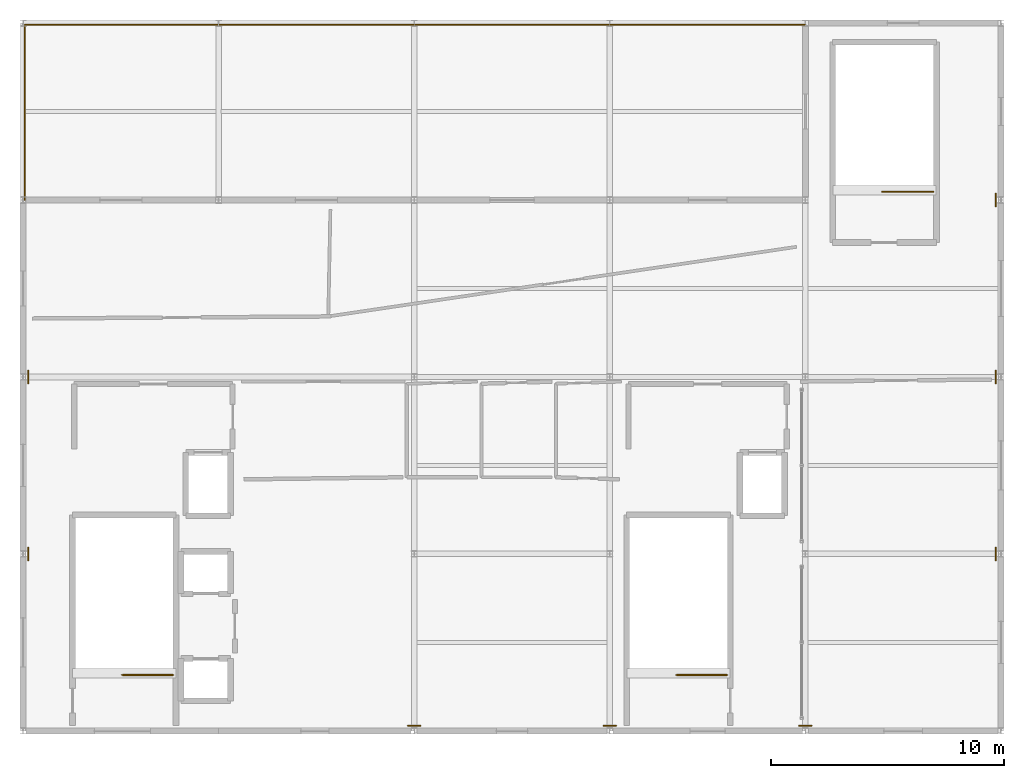
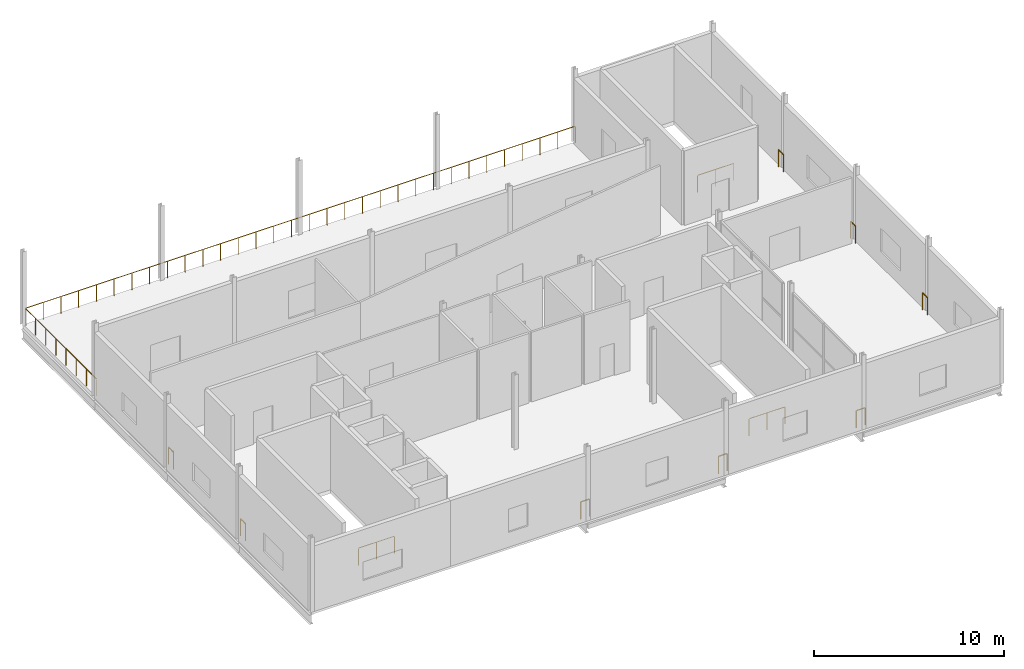
# One storey, part 8 of 8: 12 railings.
"""IFC4 building model written with IfcOpenShell, lengths in metres."""

from ifc_helpers import new_model, si_unit, direction, frame, origin, origin_2d, place, context, subcontext, project, spatial, circle, extrude, material, type_object, element, save


model = new_model("IFC4")

# Units and contexts
model_context = context("Model", 3, precision=1e-05, world=origin(), true_north=direction((0.0, 1.0)))
body_context = subcontext(model_context, "Body", "Model", "MODEL_VIEW")
ifc_project = project(units=[si_unit("LENGTHUNIT", "METRE"), si_unit("AREAUNIT", "SQUARE_METRE"), si_unit("VOLUMEUNIT", "CUBIC_METRE"), si_unit("PLANEANGLEUNIT", "RADIAN"), si_unit("MASSUNIT", "GRAM", prefix="KILO")], contexts=[model_context])

# Site, building, storey
site_placement = place(None, origin())
site = spatial("IfcSite", under=ifc_project, at=site_placement, CompositionType="ELEMENT")
building_placement = place(site_placement, origin())
building = spatial("IfcBuilding", under=site, at=building_placement, Name="Zuvorla Pavilion Media Centre", CompositionType="ELEMENT")
storey_placement = place(building_placement, frame((0.0, 0.0, 26.39990234375)))
storey = spatial("IfcBuildingStorey", under=building, at=storey_placement, Name="L06", CompositionType="ELEMENT", Elevation=26.39990234375)

# Railings
ifc_material_1 = material(Name="Brushed stainless steel 316 balustrade", Category="steel")
railing_type_1 = type_object("IfcRailingType", Name="RL-EXT-110", PredefinedType="BALUSTRADE", material=ifc_material_1)
railing_1_placement = place(storey_placement, frame((100.39990234375, 36.320068359375, 0.0)))
element("IfcRailing", 1, at=railing_1_placement, inside=storey, type_object=railing_type_1, Name="L06 rooftop screen terrace balustrade 3", PredefinedType="BALUSTRADE", context=body_context, shape_type="SweptSolid", body=[
    extrude(circle(Radius=0.02392578125, at=origin_2d()), frame((-0.02880859375, 0.0, 1.076171875), z_axis=(-1.0, 0.0, 0.0), x_axis=(0.0, -1.0, 0.0)), (0.0, 0.0, 1.0), 33.46240234375),
    extrude(circle(Radius=0.02392578125, at=origin_2d()), frame((-33.52001953125, -0.02880859375, 1.076171875), z_axis=(0.0, -1.0, 0.0), x_axis=(1.0, 0.0, 0.0)), (0.0, 0.0, 1.0), 7.46240234375),
    extrude(circle(Radius=0.02099609375, at=origin_2d()), origin(), (0.0, 0.0, 1.0), 1.050048828125),
    extrude(circle(Radius=0.02099609375, at=origin_2d()), frame((-1.081298828125, 0.0, 0.0)), (0.0, 0.0, 1.0), 1.050048828125),
    extrude(circle(Radius=0.02099609375, at=origin_2d()), frame((-2.16259765625, 0.0, 0.0)), (0.0, 0.0, 1.0), 1.050048828125),
    extrude(circle(Radius=0.02099609375, at=origin_2d()), frame((-3.243896484375, 0.0, 0.0)), (0.0, 0.0, 1.0), 1.050048828125),
    extrude(circle(Radius=0.02099609375, at=origin_2d()), frame((-4.3251953125, 0.0, 0.0)), (0.0, 0.0, 1.0), 1.050048828125),
    extrude(circle(Radius=0.02099609375, at=origin_2d()), frame((-5.406494140625, 0.0, 0.0)), (0.0, 0.0, 1.0), 1.050048828125),
    extrude(circle(Radius=0.02099609375, at=origin_2d()), frame((-6.48779296875, 0.0, 0.0)), (0.0, 0.0, 1.0), 1.050048828125),
    extrude(circle(Radius=0.02099609375, at=origin_2d()), frame((-7.569091796875, 0.0, 0.0)), (0.0, 0.0, 1.0), 1.050048828125),
    extrude(circle(Radius=0.02099609375, at=origin_2d()), frame((-8.650390625, 0.0, 0.0)), (0.0, 0.0, 1.0), 1.050048828125),
    extrude(circle(Radius=0.02099609375, at=origin_2d()), frame((-9.731689453125, 0.0, 0.0)), (0.0, 0.0, 1.0), 1.050048828125),
    extrude(circle(Radius=0.02099609375, at=origin_2d()), frame((-10.81298828125, 0.0, 0.0)), (0.0, 0.0, 1.0), 1.050048828125),
    extrude(circle(Radius=0.02099609375, at=origin_2d()), frame((-11.894287109375, 0.0, 0.0)), (0.0, 0.0, 1.0), 1.050048828125),
    extrude(circle(Radius=0.02099609375, at=origin_2d()), frame((-12.9755859375, 0.0, 0.0)), (0.0, 0.0, 1.0), 1.050048828125),
    extrude(circle(Radius=0.02099609375, at=origin_2d()), frame((-14.056884765625, 0.0, 0.0)), (0.0, 0.0, 1.0), 1.050048828125),
    extrude(circle(Radius=0.02099609375, at=origin_2d()), frame((-15.13818359375, 0.0, 0.0)), (0.0, 0.0, 1.0), 1.050048828125),
    extrude(circle(Radius=0.02099609375, at=origin_2d()), frame((-16.219482421875, 0.0, 0.0)), (0.0, 0.0, 1.0), 1.050048828125),
    extrude(circle(Radius=0.02099609375, at=origin_2d()), frame((-17.300537109375, 0.0, 0.0)), (0.0, 0.0, 1.0), 1.050048828125),
    extrude(circle(Radius=0.02099609375, at=origin_2d()), frame((-18.3818359375, 0.0, 0.0)), (0.0, 0.0, 1.0), 1.050048828125),
    extrude(circle(Radius=0.02099609375, at=origin_2d()), frame((-19.463134765625, 0.0, 0.0)), (0.0, 0.0, 1.0), 1.050048828125),
    extrude(circle(Radius=0.02099609375, at=origin_2d()), frame((-20.54443359375, 0.0, 0.0)), (0.0, 0.0, 1.0), 1.050048828125),
    extrude(circle(Radius=0.02099609375, at=origin_2d()), frame((-21.625732421875, 0.0, 0.0)), (0.0, 0.0, 1.0), 1.050048828125),
    extrude(circle(Radius=0.02099609375, at=origin_2d()), frame((-22.70703125, 0.0, 0.0)), (0.0, 0.0, 1.0), 1.050048828125),
    extrude(circle(Radius=0.02099609375, at=origin_2d()), frame((-23.788330078125, 0.0, 0.0)), (0.0, 0.0, 1.0), 1.050048828125),
    extrude(circle(Radius=0.02099609375, at=origin_2d()), frame((-24.86962890625, 0.0, 0.0)), (0.0, 0.0, 1.0), 1.050048828125),
    extrude(circle(Radius=0.02099609375, at=origin_2d()), frame((-25.950927734375, 0.0, 0.0)), (0.0, 0.0, 1.0), 1.050048828125),
    extrude(circle(Radius=0.02099609375, at=origin_2d()), frame((-27.0322265625, 0.0, 0.0)), (0.0, 0.0, 1.0), 1.050048828125),
    extrude(circle(Radius=0.02099609375, at=origin_2d()), frame((-28.113525390625, 0.0, 0.0)), (0.0, 0.0, 1.0), 1.050048828125),
    extrude(circle(Radius=0.02099609375, at=origin_2d()), frame((-29.19482421875, 0.0, 0.0)), (0.0, 0.0, 1.0), 1.050048828125),
    extrude(circle(Radius=0.02099609375, at=origin_2d()), frame((-30.276123046875, 0.0, 0.0)), (0.0, 0.0, 1.0), 1.050048828125),
    extrude(circle(Radius=0.02099609375, at=origin_2d()), frame((-31.357421875, 0.0, 0.0)), (0.0, 0.0, 1.0), 1.050048828125),
    extrude(circle(Radius=0.02099609375, at=origin_2d()), frame((-32.438720703125, 0.0, 0.0)), (0.0, 0.0, 1.0), 1.050048828125),
    extrude(circle(Radius=0.02099609375, at=origin_2d()), frame((-33.52001953125, 0.0, 0.0)), (0.0, 0.0, 1.0), 1.050048828125),
    extrude(circle(Radius=0.02099609375, at=origin_2d()), frame((-33.52001953125, -1.07421875, 0.0)), (0.0, 0.0, 1.0), 1.050048828125),
    extrude(circle(Radius=0.02099609375, at=origin_2d()), frame((-33.52001953125, -2.148681640625, 0.0)), (0.0, 0.0, 1.0), 1.050048828125),
    extrude(circle(Radius=0.02099609375, at=origin_2d()), frame((-33.52001953125, -3.222900390625, 0.0)), (0.0, 0.0, 1.0), 1.050048828125),
    extrude(circle(Radius=0.02099609375, at=origin_2d()), frame((-33.52001953125, -4.297119140625, 0.0)), (0.0, 0.0, 1.0), 1.050048828125),
    extrude(circle(Radius=0.02099609375, at=origin_2d()), frame((-33.52001953125, -5.371337890625, 0.0)), (0.0, 0.0, 1.0), 1.050048828125),
    extrude(circle(Radius=0.02099609375, at=origin_2d()), frame((-33.52001953125, -6.44580078125, 0.0)), (0.0, 0.0, 1.0), 1.050048828125),
    extrude(circle(Radius=0.02099609375, at=origin_2d()), frame((-33.52001953125, -7.52001953125, 0.0)), (0.0, 0.0, 1.0), 1.050048828125),
])
ifc_material_2 = material(Name="Powder-coated steel balustrade guard", Category="steel")
railing_type_2 = type_object("IfcRailingType", Name="RL-INT-GRD", PredefinedType="BALUSTRADE", material=ifc_material_2)
for number, where, name in (
    (2, (73.25, 8.39990234375, 0.0), "L06 ST-01 top well guard 1"),
    (3, (97.050048828125, 8.39990234375, 0.0), "L06 ST-02 top well guard 1"),
    (4, (105.89990234375, 29.14990234375, 0.0), "L06 ST-04 top well guard 1"),
):
    element("IfcRailing", number, at=place(storey_placement, frame(where)), inside=storey, type_object=railing_type_2, Name=name, PredefinedType="BALUSTRADE", context=body_context, shape_type="SweptSolid", body=[
        extrude(circle(Radius=0.02392578125, at=origin_2d()), frame((-0.02880859375, 0.0, 1.09619140625), z_axis=(-1.0, 0.0, 0.0), x_axis=(0.0, -1.0, 0.0)), (0.0, 0.0, 1.0), 2.142333984375),
        extrude(circle(Radius=0.02099609375, at=origin_2d()), origin(), (0.0, 0.0, 1.0), 1.070068359375),
        extrude(circle(Radius=0.02099609375, at=origin_2d()), frame((-1.10009765625, 0.0, 0.0)), (0.0, 0.0, 1.0), 1.070068359375),
        extrude(circle(Radius=0.02099609375, at=origin_2d()), frame((-2.199951171875, 0.0, 0.0)), (0.0, 0.0, 1.0), 1.070068359375),
    ])
railing_2_placement = place(storey_placement, frame((67.02001953125, 13.329833984375, 0.0)))
element("IfcRailing", 5, at=railing_2_placement, inside=storey, type_object=railing_type_2, Name="L06 slab edge guard 140", PredefinedType="BALUSTRADE", context=body_context, shape_type="SweptSolid", body=[
    extrude(circle(Radius=0.02392578125, at=origin_2d()), frame((0.0, 0.02880859375, 1.09619140625), z_axis=(0.0, 1.0, 0.0), x_axis=(-1.0, 0.0, 0.0)), (0.0, 0.0, 1.0), 0.482666015625),
    extrude(circle(Radius=0.02099609375, at=origin_2d()), origin(), (0.0, 0.0, 1.0), 1.070068359375),
    extrude(circle(Radius=0.02099609375, at=origin_2d()), frame((0.0, 0.540283203125, 0.0)), (0.0, 0.0, 1.0), 1.070068359375),
])
railing_3_placement = place(storey_placement, frame((67.02001953125, 20.9296875, 0.0)))
element("IfcRailing", 6, at=railing_3_placement, inside=storey, type_object=railing_type_2, Name="L06 slab edge guard 141", PredefinedType="BALUSTRADE", context=body_context, shape_type="SweptSolid", body=[
    extrude(circle(Radius=0.02392578125, at=origin_2d()), frame((0.0, 0.02880859375, 1.09619140625), z_axis=(0.0, 1.0, 0.0), x_axis=(-1.0, 0.0, 0.0)), (0.0, 0.0, 1.0), 0.48291015625),
    extrude(circle(Radius=0.02099609375, at=origin_2d()), origin(), (0.0, 0.0, 1.0), 1.070068359375),
    extrude(circle(Radius=0.02099609375, at=origin_2d()), frame((0.0, 0.54052734375, 0.0)), (0.0, 0.0, 1.0), 1.070068359375),
])
for number, where, name in (
    (7, (108.580078125, 29.0703125, 0.0), "L06 slab edge guard 142"),
    (8, (108.580078125, 21.47021484375, 0.0), "L06 slab edge guard 143"),
):
    element("IfcRailing", number, at=place(storey_placement, frame(where)), inside=storey, type_object=railing_type_2, Name=name, PredefinedType="BALUSTRADE", context=body_context, shape_type="SweptSolid", body=[
        extrude(circle(Radius=0.02392578125, at=origin_2d()), frame((0.0, -0.02880859375, 1.09619140625), z_axis=(0.0, -1.0, 0.0), x_axis=(1.0, 0.0, 0.0)), (0.0, 0.0, 1.0), 0.48291015625),
        extrude(circle(Radius=0.02099609375, at=origin_2d()), origin(), (0.0, 0.0, 1.0), 1.070068359375),
        extrude(circle(Radius=0.02099609375, at=origin_2d()), frame((0.0, -0.54052734375, 0.0)), (0.0, 0.0, 1.0), 1.070068359375),
    ])
railing_4_placement = place(storey_placement, frame((108.580078125, 13.8701171875, 0.0)))
element("IfcRailing", 9, at=railing_4_placement, inside=storey, type_object=railing_type_2, Name="L06 slab edge guard 144", PredefinedType="BALUSTRADE", context=body_context, shape_type="SweptSolid", body=[
    extrude(circle(Radius=0.02392578125, at=origin_2d()), frame((0.0, -0.02880859375, 1.09619140625), z_axis=(0.0, -1.0, 0.0), x_axis=(1.0, 0.0, 0.0)), (0.0, 0.0, 1.0), 0.482666015625),
    extrude(circle(Radius=0.02099609375, at=origin_2d()), origin(), (0.0, 0.0, 1.0), 1.070068359375),
    extrude(circle(Radius=0.02099609375, at=origin_2d()), frame((0.0, -0.540283203125, 0.0)), (0.0, 0.0, 1.0), 1.070068359375),
])
railing_5_placement = place(storey_placement, frame((100.668212890625, 6.219970703125, 0.0)))
element("IfcRailing", 10, at=railing_5_placement, inside=storey, type_object=railing_type_2, Name="L06 slab edge guard 145", PredefinedType="BALUSTRADE", context=body_context, shape_type="SweptSolid", body=[
    extrude(circle(Radius=0.02392578125, at=origin_2d()), frame((-0.02880859375, 0.0, 1.09619140625), z_axis=(-1.0, 0.0, 0.0), x_axis=(0.0, -1.0, 0.0)), (0.0, 0.0, 1.0), 0.478759765625),
    extrude(circle(Radius=0.02099609375, at=origin_2d()), origin(), (0.0, 0.0, 1.0), 1.070068359375),
    extrude(circle(Radius=0.02099609375, at=origin_2d()), frame((-0.536376953125, 0.0, 0.0)), (0.0, 0.0, 1.0), 1.070068359375),
])
railing_6_placement = place(storey_placement, frame((92.268310546875, 6.219970703125, 0.0)))
element("IfcRailing", 11, at=railing_6_placement, inside=storey, type_object=railing_type_2, Name="L06 slab edge guard 146", PredefinedType="BALUSTRADE", context=body_context, shape_type="SweptSolid", body=[
    extrude(circle(Radius=0.02392578125, at=origin_2d()), frame((-0.02880859375, 0.0, 1.09619140625), z_axis=(-1.0, 0.0, 0.0), x_axis=(0.0, -1.0, 0.0)), (0.0, 0.0, 1.0), 0.47900390625),
    extrude(circle(Radius=0.02099609375, at=origin_2d()), origin(), (0.0, 0.0, 1.0), 1.070068359375),
    extrude(circle(Radius=0.02099609375, at=origin_2d()), frame((-0.53662109375, 0.0, 0.0)), (0.0, 0.0, 1.0), 1.070068359375),
])
railing_7_placement = place(storey_placement, frame((83.8681640625, 6.219970703125, 0.0)))
element("IfcRailing", 12, at=railing_7_placement, inside=storey, type_object=railing_type_2, Name="L06 slab edge guard 147", PredefinedType="BALUSTRADE", context=body_context, shape_type="SweptSolid", body=[
    extrude(circle(Radius=0.02392578125, at=origin_2d()), frame((-0.02880859375, 0.0, 1.09619140625), z_axis=(-1.0, 0.0, 0.0), x_axis=(0.0, -1.0, 0.0)), (0.0, 0.0, 1.0), 0.478759765625),
    extrude(circle(Radius=0.02099609375, at=origin_2d()), origin(), (0.0, 0.0, 1.0), 1.070068359375),
    extrude(circle(Radius=0.02099609375, at=origin_2d()), frame((-0.536376953125, 0.0, 0.0)), (0.0, 0.0, 1.0), 1.070068359375),
])

save(model, "model.ifc")
